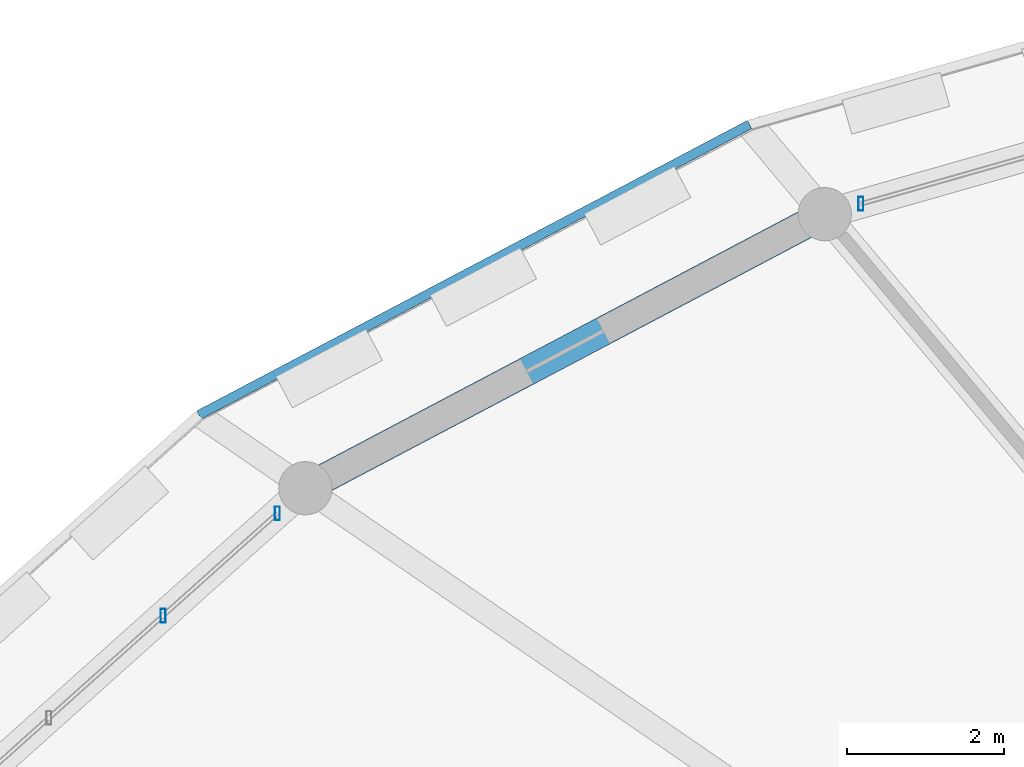
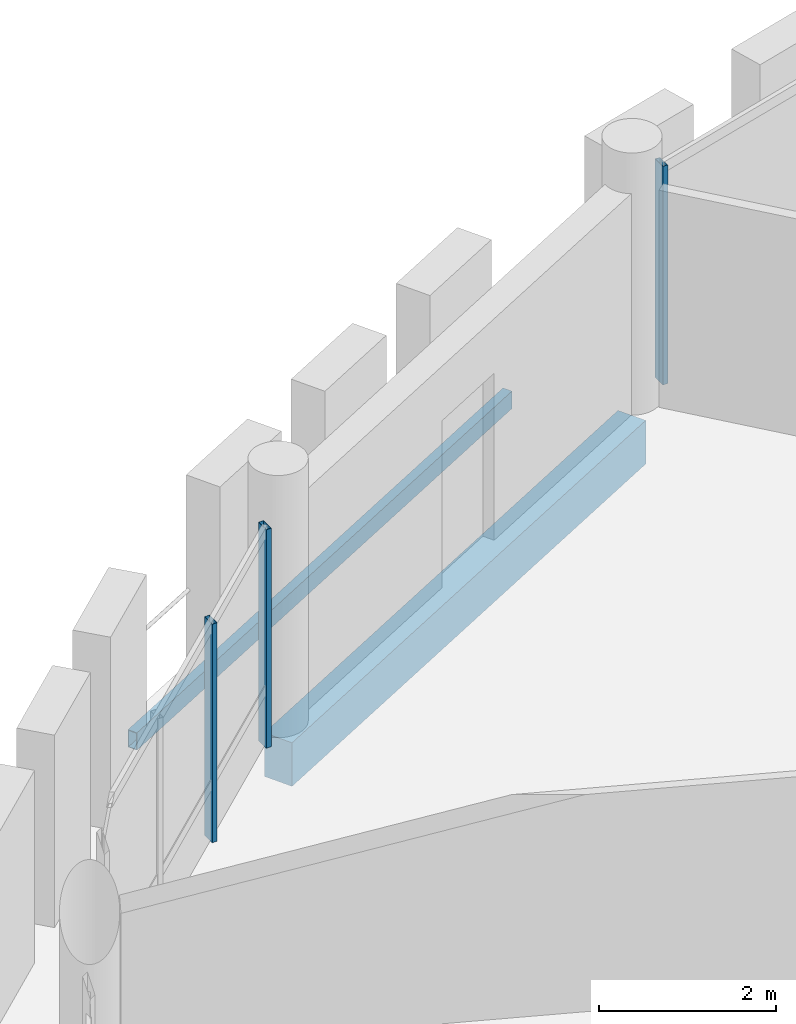
# One storey, part 66 of 128: 3 members, 2 beams, 2 elements without a shape of their own.
"""IFC4 building model written with IfcOpenShell, lengths in metres."""

from ifc_helpers import new_model, si_unit, direction, frame, origin, origin_2d, place, context, subcontext, project, spatial, rectangle, hollow_rectangle, extrude, material, material_profile, profile_set, type_object, element, aggregate, save


model = new_model("IFC4")

# Units and contexts
model_context = context("Model", 3, precision=1e-05, world=origin(), true_north=direction((0.0, 1.0)))
body_context = subcontext(model_context, "Body", "Model", "MODEL_VIEW")
ifc_project = project(units=[si_unit("LENGTHUNIT", "METRE"), si_unit("AREAUNIT", "SQUARE_METRE"), si_unit("VOLUMEUNIT", "CUBIC_METRE"), si_unit("PLANEANGLEUNIT", "RADIAN"), si_unit("MASSUNIT", "GRAM", prefix="KILO")], contexts=[model_context])

# Site, building, storey
site_placement = place(None, origin())
site = spatial("IfcSite", under=ifc_project, at=site_placement, CompositionType="ELEMENT")
building_placement = place(site_placement, origin())
building = spatial("IfcBuilding", under=site, at=building_placement, Name="Zornivar Specialist Clinic", CompositionType="ELEMENT")
storey_placement = place(building_placement, frame((0.0, 0.0, 4.5)))
storey = spatial("IfcBuildingStorey", under=building, at=storey_placement, Name="L01", CompositionType="ELEMENT", Elevation=4.5)

# Beams
ifc_material_1 = material(Name="Concrete C30/37", Category="concrete")
ifc_material_profile_1 = material_profile(ifc_material_1, rectangle(XDim=0.3701171875, YDim=0.60009765625, at=origin_2d()), Name="RC 370x600")
ifc_profile_set_1 = profile_set([ifc_material_profile_1], Name="Concrete C30/37")
beam_type_1 = type_object("IfcBeamType", Name="BM-RC-SPANDREL-370x600", PredefinedType="SPANDREL", material=ifc_profile_set_1)
beam_1_placement = place(storey_placement, frame((77.60009765625, 76.653076171875, -0.5400390625), z_axis=(-0.8844187475, -0.466694202954, 0.0), x_axis=(0.466694202954, -0.8844187475, 0.0)))
element("IfcBeam", 1, at=beam_1_placement, inside=storey, type_object=beam_type_1, Name="bm:V1:L01:outring:08", PredefinedType="SPANDREL", context=body_context, shape_type="SweptSolid", body=[
    extrude(rectangle(XDim=0.3701171875, YDim=0.60009765625, at=origin_2d()), origin(), (0.0, 0.0, 1.0), 7.4931640625),
])
ifc_material_2 = material(Name="Steel S355J2", Category="steel")
ifc_material_profile_2 = material_profile(ifc_material_2, hollow_rectangle(XDim=0.1201171875, YDim=0.239990234375, WallThickness=0.008056640625, at=origin_2d()), Name="RHS 240x120x8")
ifc_profile_set_2 = profile_set([ifc_material_profile_2], Name="Steel S355J2")
beam_type_2 = type_object("IfcBeamType", Name="BM-STL-RHS240", PredefinedType="JOIST", material=ifc_profile_set_2)
beam_2_placement = place(storey_placement, frame((76.639892578125, 77.7958984375, -0.360107421875), z_axis=(-0.884477081674, -0.466583638797, 0.0), x_axis=(0.466583638797, -0.884477081674, 0.0)))
element("IfcBeam", 2, at=beam_2_placement, inside=storey, type_object=beam_type_2, Name="bm:V1:L01:balring:08", PredefinedType="JOIST", context=body_context, shape_type="SweptSolid", body=[
    extrude(hollow_rectangle(XDim=0.1201171875, YDim=0.239990234375, WallThickness=0.008056640625, at=origin_2d()), origin(), (0.0, 0.0, 1.0), 7.9423828125),
])

# Curtain wall, member
ifc_material_3 = material(Name="Aluminium and Low-E Glass Curtain Wall", Category="aluminium")
curtain_wall_type = type_object("IfcCurtainWallType", Name="CW-DRUM-FACET", PredefinedType="NOTDEFINED", material=ifc_material_3)
curtain_wall_1_placement = place(storey_placement, origin())
curtain_wall_1 = element("IfcCurtainWall", 3, at=curtain_wall_1_placement, inside=storey, type_object=curtain_wall_type, Name="cw:V1:L01:c07", PredefinedType="NOTDEFINED")
ifc_material_4 = material(Name="Aluminium AW-6060", Category="aluminium")
ifc_material_profile_3 = material_profile(ifc_material_4, hollow_rectangle(XDim=0.06494140625, YDim=0.175048828125, WallThickness=0.00439453125, at=origin_2d()), Name="ALU 65x175x4.5")
ifc_profile_set_3 = profile_set([ifc_material_profile_3], Name="Aluminium AW-6060")
member_type = type_object("IfcMemberType", Name="CWM-MUL-175", PredefinedType="MULLION", material=ifc_profile_set_3)
member_1_placement = place(storey_placement, frame((78.06103515625, 76.784912109375, 0.0), z_axis=(0.0, 0.0, 1.0), x_axis=(1.0, 0.0, 0.0)))
member_1 = element("IfcMember", 4, at=member_1_placement, type_object=member_type, Name="cw:V1:L01:c07:mul:3", PredefinedType="MULLION", context=body_context, shape_type="SweptSolid", body=[
    extrude(hollow_rectangle(XDim=0.06494140625, YDim=0.175048828125, WallThickness=0.00439453125, at=origin_2d()), origin(), (0.0, 0.0, 1.0), 3.010009765625),
])
aggregate(curtain_wall_1, [member_1])

# Curtain wall, members
curtain_wall_2_placement = place(storey_placement, origin())
curtain_wall_2 = element("IfcCurtainWall", 5, at=curtain_wall_2_placement, inside=storey, type_object=curtain_wall_type, Name="cw:V1:L01:c09", PredefinedType="NOTDEFINED")
member_2_placement = place(storey_placement, frame((70.614990234375, 72.8349609375, 0.0), z_axis=(0.0, 0.0, 1.0), x_axis=(1.0, 0.0, 0.0)))
member_2 = element("IfcMember", 6, at=member_2_placement, type_object=member_type, Name="cw:V1:L01:c09:mul:0", PredefinedType="MULLION", context=body_context, shape_type="SweptSolid", body=[
    extrude(hollow_rectangle(XDim=0.06494140625, YDim=0.175048828125, WallThickness=0.00439453125, at=origin_2d()), origin(), (0.0, 0.0, 1.0), 3.010009765625),
])
member_3_placement = place(storey_placement, frame((69.157958984375, 71.530029296875, 0.0), z_axis=(0.0, 0.0, 1.0), x_axis=(1.0, 0.0, 0.0)))
member_3 = element("IfcMember", 7, at=member_3_placement, type_object=member_type, Name="cw:V1:L01:c09:mul:1", PredefinedType="MULLION", context=body_context, shape_type="SweptSolid", body=[
    extrude(hollow_rectangle(XDim=0.06494140625, YDim=0.175048828125, WallThickness=0.00439453125, at=origin_2d()), origin(), (0.0, 0.0, 1.0), 3.010009765625),
])
aggregate(curtain_wall_2, [member_2, member_3])

save(model, "model.ifc")
